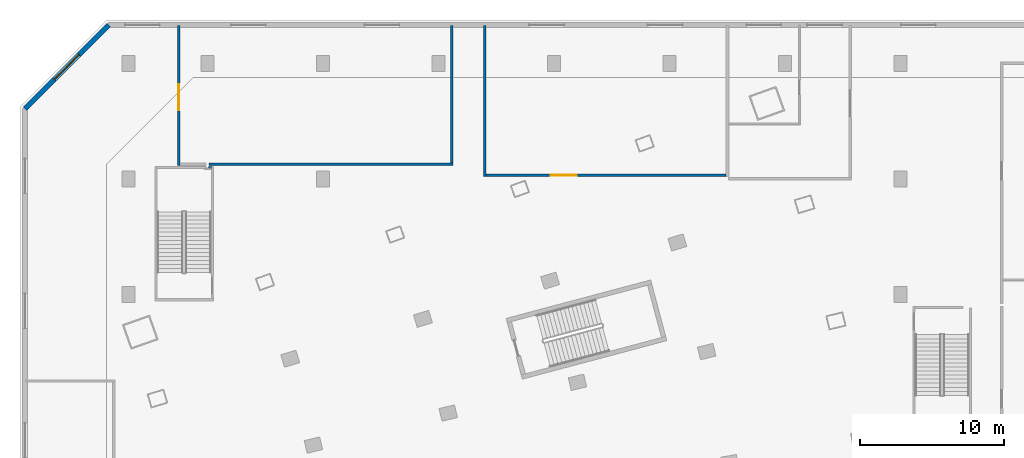
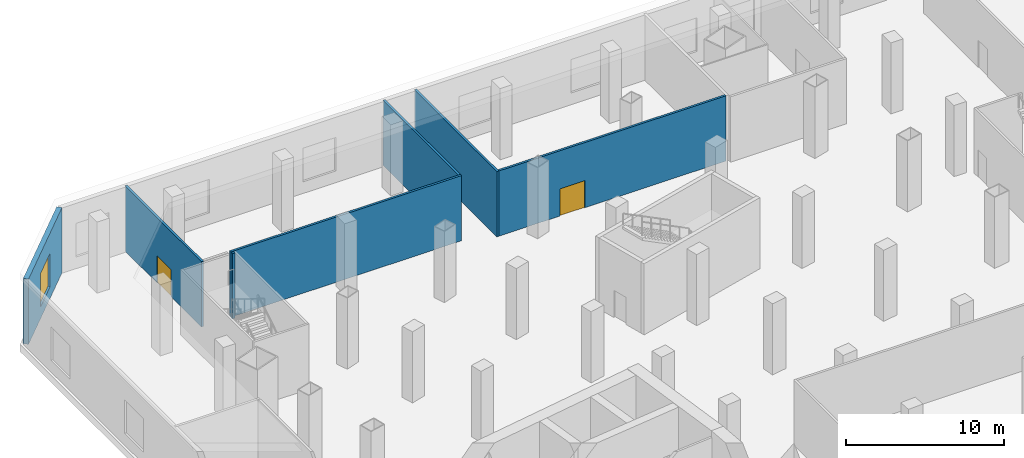
# One storey, part 16 of 26: 7 walls, 2 doors, 1 window, 3 openings.
"""IFC4 building model written with IfcOpenShell, lengths in metres."""

from ifc_helpers import new_model, si_unit, direction, frame, frame_2d, origin, place, context, subcontext, project, spatial, rectangle, extrude, material, layer, layer_set, type_object, element, fill, save


model = new_model("IFC4")

# Units and contexts
model_context = context("Model", 3, precision=1e-05, world=origin(), true_north=direction((0.0, 1.0)))
body_context = subcontext(model_context, "Body", "Model", "MODEL_VIEW")
ifc_project = project(units=[si_unit("LENGTHUNIT", "METRE"), si_unit("AREAUNIT", "SQUARE_METRE"), si_unit("VOLUMEUNIT", "CUBIC_METRE"), si_unit("PLANEANGLEUNIT", "RADIAN"), si_unit("MASSUNIT", "GRAM", prefix="KILO")], contexts=[model_context])

# Site, building, storey
site_placement = place(None, origin())
site = spatial("IfcSite", under=ifc_project, at=site_placement, CompositionType="ELEMENT")
building_placement = place(site_placement, origin())
building = spatial("IfcBuilding", under=site, at=building_placement, Name="Alderwake Tower", CompositionType="ELEMENT")
storey_placement = place(building_placement, frame((0.0, 0.0, 8.0)))
storey = spatial("IfcBuildingStorey", under=building, at=storey_placement, Name="L01", CompositionType="ELEMENT", Elevation=8.0)

# Wall, opening, door
ifc_material_1 = material(Name="Gypsum board on metal studs, rated")
ifc_layer_1 = layer(ifc_material_1, 0.159912109375)
ifc_layer_set_1 = layer_set([ifc_layer_1], Name="Corridor wall 160")
wall_type_1 = type_object("IfcWallType", Name="Corridor wall 160", PredefinedType="PARTITIONING", material=ifc_layer_set_1)
wall_1_placement = place(storey_placement, frame((14.0009765625, 104.919921875, 0.0), z_axis=(0.0, 0.0, 1.0), x_axis=(0.0, 1.0, 0.0)))
wall_1 = element("IfcWall", 1, at=wall_1_placement, inside=storey, type_object=wall_type_1, Name="WL/L01/W38", PredefinedType="PARTITIONING", context=body_context, shape_type="SweptSolid", body=[
    extrude(rectangle(XDim=9.7001953125, YDim=0.159912109375, at=frame_2d((4.85009765625, 0.0))), origin(), (0.0, 0.0, 1.0), 5.050048828125),
])
opening_1_placement = place(wall_1_placement, frame((3.830078125, 0.0, 0.0)))
opening_1 = element("IfcOpeningElement", 2, at=opening_1_placement, cuts=wall_1, Name="Opening L01-12", PredefinedType="OPENING", context=body_context, shape_type="SweptSolid", body=[
    extrude(rectangle(XDim=1.800048828125, YDim=2.10009765625, at=frame_2d((0.89990234375, 1.050048828125))), frame((0.0, 0.08984375, 0.0), z_axis=(0.0, -1.0, 0.0), x_axis=(1.0, 0.0, 0.0)), (0.0, 0.0, 1.0), 0.179931640625),
])
ifc_material_2 = material(Name="Aluminium framed glazed leaves", Category="aluminium")
door_type = type_object("IfcDoorType", Name="Shopfront door 1800 glazed double", OperationType="DOUBLE_DOOR_SINGLE_SWING", PredefinedType="DOOR", material=ifc_material_2)
door_1_placement = place(opening_1_placement, origin())
door_1 = element("IfcDoor", 3, at=door_1_placement, inside=storey, type_object=door_type, Name="DR/L01/12", OperationType="DOUBLE_DOOR_SINGLE_SWING", OverallHeight=2.10009765625, OverallWidth=1.800048828125, PredefinedType="DOOR", context=body_context, shape_type="SweptSolid", body=[
    extrude(rectangle(XDim=1.800048828125, YDim=2.10009765625, at=frame_2d((0.89990234375, 1.050048828125))), frame((0.0, 0.02490234375, 0.0), z_axis=(0.0, -1.0, 0.0), x_axis=(1.0, 0.0, 0.0)), (0.0, 0.0, 1.0), 0.050048828125),
])
fill(opening_1, door_1)

# Walls
wall_2_placement = place(storey_placement, frame((32.98095703125, 105.0, 0.0), z_axis=(0.0, 0.0, 1.0), x_axis=(-1.0, 0.0, 0.0)))
element("IfcWall", 4, at=wall_2_placement, inside=storey, type_object=wall_type_1, Name="WL/L01/W40", PredefinedType="PARTITIONING", context=body_context, shape_type="SweptSolid", body=[
    extrude(rectangle(XDim=16.9013671875, YDim=0.159912109375, at=frame_2d((8.45068359375, 0.0))), origin(), (0.0, 0.0, 1.0), 5.050048828125),
])
wall_3_placement = place(storey_placement, frame((32.90087890625, 114.6201171875, 0.0), z_axis=(0.0, 0.0, 1.0), x_axis=(0.0, -1.0, 0.0)))
element("IfcWall", 5, at=wall_3_placement, inside=storey, type_object=wall_type_1, Name="WL/L01/W41", PredefinedType="PARTITIONING", context=body_context, shape_type="SweptSolid", body=[
    extrude(rectangle(XDim=9.5400390625, YDim=0.159912109375, at=frame_2d((4.77001953125, 0.0))), origin(), (0.0, 0.0, 1.0), 5.050048828125),
])
wall_4_placement = place(storey_placement, frame((35.198974609375, 104.169921875, 0.0), z_axis=(0.0, 0.0, 1.0), x_axis=(0.0, 1.0, 0.0)))
element("IfcWall", 6, at=wall_4_placement, inside=storey, type_object=wall_type_1, Name="WL/L01/W42", PredefinedType="PARTITIONING", context=body_context, shape_type="SweptSolid", body=[
    extrude(rectangle(XDim=10.4501953125, YDim=0.159912109375, at=frame_2d((5.22509765625, 0.0))), origin(), (0.0, 0.0, 1.0), 5.050048828125),
])

# Wall, opening, door
wall_5_placement = place(storey_placement, frame((51.89892578125, 104.25, 0.0), z_axis=(0.0, 0.0, 1.0), x_axis=(-1.0, 0.0, 0.0)))
wall_5 = element("IfcWall", 7, at=wall_5_placement, inside=storey, type_object=wall_type_1, Name="WL/L01/W43", PredefinedType="PARTITIONING", context=body_context, shape_type="SweptSolid", body=[
    extrude(rectangle(XDim=16.619873046875, YDim=0.159912109375, at=frame_2d((8.31005859375, 0.0))), origin(), (0.0, 0.0, 1.0), 5.050048828125),
])
opening_2_placement = place(wall_5_placement, frame((10.34375, 0.0, 0.0)))
opening_2 = element("IfcOpeningElement", 8, at=opening_2_placement, cuts=wall_5, Name="Opening L01-13", PredefinedType="OPENING", context=body_context, shape_type="SweptSolid", body=[
    extrude(rectangle(XDim=1.800048828125, YDim=2.10009765625, at=frame_2d((0.89990234375, 1.050048828125))), frame((0.0, 0.08984375, 0.0), z_axis=(0.0, -1.0, 0.0), x_axis=(1.0, 0.0, 0.0)), (0.0, 0.0, 1.0), 0.179931640625),
])
door_2_placement = place(opening_2_placement, origin())
door_2 = element("IfcDoor", 9, at=door_2_placement, inside=storey, type_object=door_type, Name="DR/L01/13", OperationType="DOUBLE_DOOR_SINGLE_SWING", OverallHeight=2.10009765625, OverallWidth=1.800048828125, PredefinedType="DOOR", context=body_context, shape_type="SweptSolid", body=[
    extrude(rectangle(XDim=1.800048828125, YDim=2.10009765625, at=frame_2d((0.89990234375, 1.050048828125))), frame((0.0, 0.02490234375, 0.0), z_axis=(0.0, -1.0, 0.0), x_axis=(1.0, 0.0, 0.0)), (0.0, 0.0, 1.0), 0.050048828125),
])
fill(opening_2, door_2)

# Wall, opening, window
ifc_material_3 = material(Name="Precast concrete C50/60 spandrel panel", Category="concrete")
ifc_layer_2 = layer(ifc_material_3, 0.35009765625)
ifc_layer_set_2 = layer_set([ifc_layer_2], Name="External wall EW4 Precast concrete C50/60 podium")
wall_type_2 = type_object("IfcWallType", Name="External wall EW4 Precast concrete C50/60 podium", PredefinedType="SOLIDWALL", material=ifc_layer_set_2)
wall_6_placement = place(storey_placement, frame((9.14501953125, 114.64990234375, 0.0), z_axis=(0.0, 0.0, 1.0), x_axis=(-0.707121649021, -0.707091913039, 0.0)))
wall_6 = element("IfcWall", 10, at=wall_6_placement, inside=storey, type_object=wall_type_2, Name="External wall 2", PredefinedType="SOLIDWALL", context=body_context, shape_type="SweptSolid", body=[
    extrude(rectangle(XDim=8.210205078125, YDim=0.35009765625, at=frame_2d((4.10498046875, 0.0))), origin(), (0.0, 0.0, 1.0), 5.050048828125),
])
opening_3_placement = place(wall_6_placement, frame((2.9052734375, 0.0, 0.89990234375)))
opening_3 = element("IfcOpeningElement", 11, at=opening_3_placement, cuts=wall_6, Name="Opening W6", PredefinedType="OPENING", context=body_context, shape_type="SweptSolid", body=[
    extrude(rectangle(XDim=2.39990234375, YDim=2.60009765625, at=frame_2d((1.199951171875, 1.300048828125))), frame((0.0, 0.18505859375, 0.0), z_axis=(0.0, -1.0, 0.0), x_axis=(1.0, 0.0, 0.0)), (0.0, 0.0, 1.0), 0.3701171875),
])
ifc_material_4 = material(Name="Bronze tinted glass in aluminium frame", Category="aluminium")
window_type = type_object("IfcWindowType", Name="Window W6 podium", PartitioningType="DOUBLE_PANEL_VERTICAL", PredefinedType="WINDOW", material=ifc_material_4)
window_placement = place(opening_3_placement, origin())
window = element("IfcWindow", 12, at=window_placement, inside=storey, type_object=window_type, Name="Window W6 podium", OverallHeight=2.60009765625, OverallWidth=2.39990234375, PartitioningType="DOUBLE_PANEL_VERTICAL", PredefinedType="WINDOW", context=body_context, shape_type="SweptSolid", body=[
    extrude(rectangle(XDim=2.39990234375, YDim=2.60009765625, at=frame_2d((1.199951171875, 1.300048828125))), frame((0.0, 0.030029296875, 0.0), z_axis=(0.0, -1.0, 0.0), x_axis=(1.0, 0.0, 0.0)), (0.0, 0.0, 1.0), 0.06005859375),
])
fill(opening_3, window)

# Wall
ifc_material_5 = material(Name="Concrete C40/50", Category="concrete")
ifc_layer_3 = layer(ifc_material_5, 0.14990234375)
ifc_layer_set_3 = layer_set([ifc_layer_3], Name="Stair shaft wall 150 C40/50")
wall_type_3 = type_object("IfcWallType", Name="Stair shaft wall 150 C40/50", PredefinedType="SHEAR", material=ifc_layer_set_3)
wall_7_placement = place(storey_placement, frame((16.2509765625, 104.77490234375, 0.0), z_axis=(0.0, 0.0, 1.0), x_axis=(-1.0, 0.0, 0.0)))
element("IfcWall", 13, at=wall_7_placement, inside=storey, type_object=wall_type_3, Name="WL/L01/W17", PredefinedType="SHEAR", context=body_context, shape_type="SweptSolid", body=[
    extrude(rectangle(XDim=0.18798828125, YDim=0.14990234375, at=frame_2d((0.093994140625, 0.0))), origin(), (0.0, 0.0, 1.0), 5.050048828125),
])

save(model, "model.ifc")
